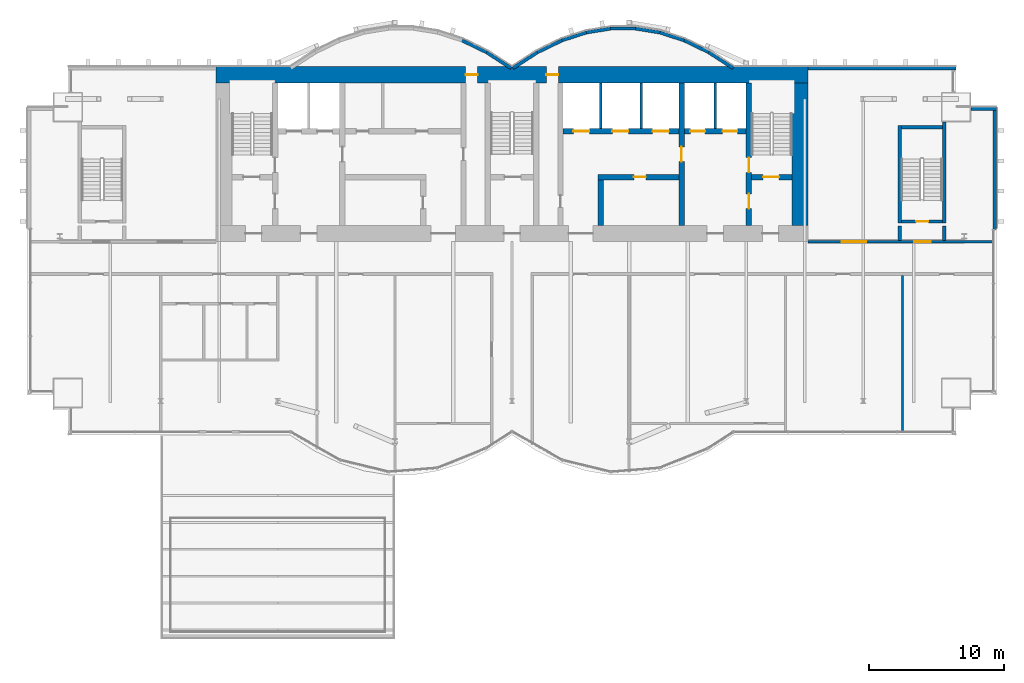
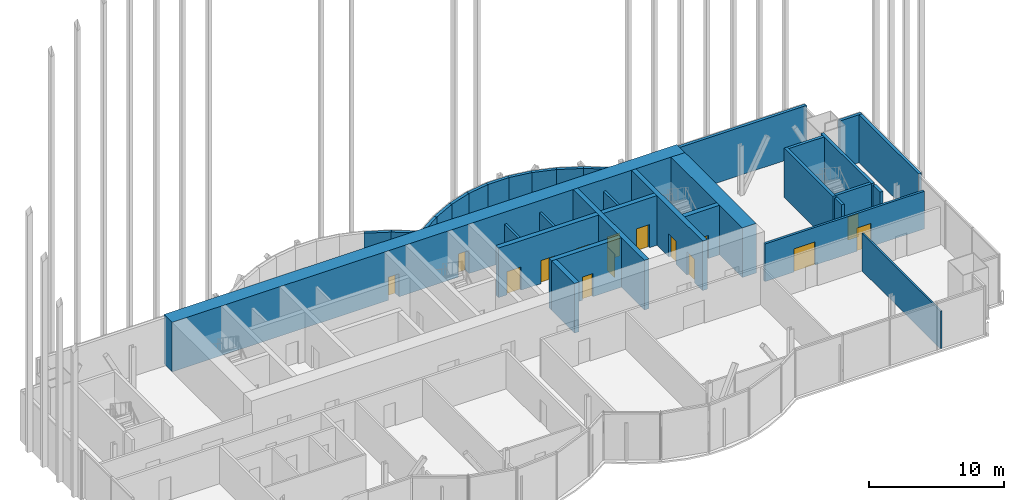
# One storey, part 18 of 22: 33 walls, 15 doors, 15 openings.
"""IFC4 building model written with IfcOpenShell, lengths in metres."""

from ifc_helpers import new_model, si_unit, direction, frame, frame_2d, origin, place, context, subcontext, project, spatial, rectangle, extrude, material, layer, layer_set, layer_usage, type_object, element, fill, save


model = new_model("IFC4")

# Units and contexts
model_context = context("Model", 3, precision=1e-05, world=origin(), true_north=direction((0.0, 1.0)))
body_context = subcontext(model_context, "Body", "Model", "MODEL_VIEW")
ifc_project = project(units=[si_unit("LENGTHUNIT", "METRE"), si_unit("AREAUNIT", "SQUARE_METRE"), si_unit("VOLUMEUNIT", "CUBIC_METRE"), si_unit("PLANEANGLEUNIT", "RADIAN"), si_unit("MASSUNIT", "GRAM", prefix="KILO")], contexts=[model_context])

# Site, building, storey
site_placement = place(None, origin())
site = spatial("IfcSite", under=ifc_project, at=site_placement, CompositionType="ELEMENT")
building_placement = place(site_placement, origin())
building = spatial("IfcBuilding", under=site, at=building_placement, Name="Bicima Exchange Tower", CompositionType="ELEMENT")
storey_placement = place(building_placement, frame((0.0, 0.0, 293.0)))
storey = spatial("IfcBuildingStorey", under=building, at=storey_placement, Name="L66", CompositionType="ELEMENT", Elevation=293.0)

# Walls
ifc_material_1 = material(Name="Gypsum board partition")
ifc_layer_1 = layer(ifc_material_1, 0.199951171875)
ifc_layer_set_1 = layer_set([ifc_layer_1], Name="Gypsum board partition")
wall_type_1 = type_object("IfcWallType", Name="Fire-rated gypsum partition 200 EI120", PredefinedType="PARTITIONING", material=ifc_layer_set_1)
for number, where, z_axis, x_axis, name in (
    (1, (6.60009765625, -4.60009765625, 0.0), (0.0, 0.0, 1.0), (0.0, 1.0, 0.0), "partition wall 18"),
    (2, (9.60009765625, -4.60009765625, 0.0), (0.0, 0.0, 1.0), (0.0, 1.0, 0.0), "partition wall 19"),
    (3, (15.10009765625, -4.60009765625, 0.0), (0.0, 0.0, 1.0), (0.0, 1.0, 0.0), "partition wall 21"),
):
    element("IfcWall", number, at=place(storey_placement, frame(where, z_axis=z_axis, x_axis=x_axis)), inside=storey, type_object=wall_type_1, Name=name, PredefinedType="PARTITIONING", context=body_context, shape_type="SweptSolid", body=[
        extrude(rectangle(XDim=3.400146484375, YDim=0.199951171875, at=frame_2d((1.7001953125, 0.0))), origin(), (0.0, 0.0, 1.0), 3.418212890625),
    ])

# Wall, openings, doors
ifc_layer_2 = layer(ifc_material_1, 0.199951171875)
ifc_layer_set_2 = layer_set([ifc_layer_2], Name="Gypsum board partition")
wall_type_2 = type_object("IfcWallType", Name="Fire-rated gypsum partition 200 EI60", PredefinedType="PARTITIONING", material=ifc_layer_set_2)
wall_1_placement = place(storey_placement, frame((22.0, -13.0, 0.0), z_axis=(0.0, 0.0, 1.0), x_axis=(1.0, 0.0, 0.0)))
wall_1 = element("IfcWall", 4, at=wall_1_placement, inside=storey, type_object=wall_type_2, Name="partition wall 9", PredefinedType="PARTITIONING", context=body_context, shape_type="SweptSolid", body=[
    extrude(rectangle(XDim=13.679931640625, YDim=0.199951171875, at=frame_2d((6.83984375, 0.0))), origin(), (0.0, 0.0, 1.0), 3.418212890625),
])
opening_1_placement = place(wall_1_placement, frame((7.89990234375, 0.0, 0.0)))
opening_1 = element("IfcOpeningElement", 5, at=opening_1_placement, cuts=wall_1, Name="Opening L66-003", PredefinedType="OPENING", context=body_context, shape_type="SweptSolid", body=[
    extrude(rectangle(XDim=1.199951171875, YDim=2.10009765625, at=frame_2d((0.60009765625, 1.050048828125))), frame((0.0, 0.11181640625, 0.0), z_axis=(0.0, -1.0, 0.0), x_axis=(1.0, 0.0, 0.0)), (0.0, 0.0, 1.0), 0.223876953125),
])
opening_2_placement = place(wall_1_placement, frame((2.5, 0.0, 0.0)))
opening_2 = element("IfcOpeningElement", 6, at=opening_2_placement, cuts=wall_1, Name="Opening L66-006", PredefinedType="OPENING", context=body_context, shape_type="SweptSolid", body=[
    extrude(rectangle(XDim=1.800048828125, YDim=2.10009765625, at=frame_2d((0.89990234375, 1.050048828125))), frame((0.0, 0.11181640625, 0.0), z_axis=(0.0, -1.0, 0.0), x_axis=(1.0, 0.0, 0.0)), (0.0, 0.0, 1.0), 0.223876953125),
])
ifc_material_2 = material(Name="Steel fire door leaf", Category="steel")
door_type_1 = type_object("IfcDoorType", Name="Door 1200 swing FD30S", OperationType="SINGLE_SWING_LEFT", PredefinedType="DOOR", material=ifc_material_2)
door_1_placement = place(opening_1_placement, origin())
door_1 = element("IfcDoor", 7, at=door_1_placement, inside=storey, type_object=door_type_1, Name="Door", OperationType="SINGLE_SWING_RIGHT", OverallHeight=2.10009765625, OverallWidth=1.199951171875, PredefinedType="DOOR", context=body_context, shape_type="SweptSolid", body=[
    extrude(rectangle(XDim=1.199951171875, YDim=2.10009765625, at=frame_2d((0.60009765625, 1.050048828125))), frame((0.0, 0.02490234375, 0.0), z_axis=(0.0, -1.0, 0.0), x_axis=(1.0, 0.0, 0.0)), (0.0, 0.0, 1.0), 0.050048828125),
])
fill(opening_1, door_1)
door_type_2 = type_object("IfcDoorType", Name="Door 1800 double swing FD30S", OperationType="DOUBLE_DOOR_SINGLE_SWING", PredefinedType="DOOR", material=ifc_material_2)
door_2_placement = place(opening_2_placement, origin())
door_2 = element("IfcDoor", 8, at=door_2_placement, inside=storey, type_object=door_type_2, Name="Door", OperationType="SINGLE_SWING_LEFT", OverallHeight=2.10009765625, OverallWidth=1.800048828125, PredefinedType="DOOR", context=body_context, shape_type="SweptSolid", body=[
    extrude(rectangle(XDim=1.800048828125, YDim=2.10009765625, at=frame_2d((0.89990234375, 1.050048828125))), frame((0.0, 0.02490234375, 0.0), z_axis=(0.0, -1.0, 0.0), x_axis=(1.0, 0.0, 0.0)), (0.0, 0.0, 1.0), 0.050048828125),
])
fill(opening_2, door_2)

# Wall
ifc_layer_3 = layer(ifc_material_1, 0.14990234375)
ifc_layer_set_3 = layer_set([ifc_layer_3], Name="Gypsum board partition")
wall_type_3 = type_object("IfcWallType", Name="Gypsum partition 150", PredefinedType="PARTITIONING", material=ifc_layer_set_3)
wall_2_placement = place(storey_placement, frame((29.0, -27.14990234375, 0.0), z_axis=(0.0, 0.0, 1.0), x_axis=(0.0, 1.0, 0.0)))
element("IfcWall", 9, at=wall_2_placement, inside=storey, type_object=wall_type_3, Name="partition wall 30", PredefinedType="PARTITIONING", context=body_context, shape_type="SweptSolid", body=[
    extrude(rectangle(XDim=11.64990234375, YDim=0.14990234375, at=frame_2d((5.824951171875, 0.0))), origin(), (0.0, 0.0, 1.0), 3.418212890625),
])

# Wall, openings, doors
ifc_material_3 = material(Name="Concrete C40/50", Category="concrete")
ifc_layer_4 = layer(ifc_material_3, 1.199951171875)
ifc_layer_set_4 = layer_set([ifc_layer_4], Name="Concrete C40/50")
wall_type_4 = type_object("IfcWallType", Name="RC core wall 1200 C40/50", PredefinedType="SHEAR", material=ifc_layer_set_4)
wall_3_placement = place(storey_placement, frame((-22.0, -0.60009765625, 0.0), z_axis=(0.0, 0.0, 1.0), x_axis=(1.0, 0.0, 0.0)))
wall_3 = element("IfcWall", 10, at=wall_3_placement, inside=storey, type_object=wall_type_4, Name="Core wall north", PredefinedType="SHEAR", context=body_context, shape_type="SweptSolid", body=[
    extrude(rectangle(XDim=44.0, YDim=1.199951171875, at=frame_2d((22.0, 0.0))), origin(), (0.0, 0.0, 1.0), 4.5),
])
opening_3_placement = place(wall_3_placement, frame((18.550048828125, 0.0, 0.0)))
opening_3 = element("IfcOpeningElement", 11, at=opening_3_placement, cuts=wall_3, Name="Opening L66-C16", PredefinedType="OPENING", context=body_context, shape_type="SweptSolid", body=[
    extrude(rectangle(XDim=0.89990234375, YDim=2.10009765625, at=frame_2d((0.449951171875, 1.050048828125))), frame((0.0, 0.61181640625, 0.0), z_axis=(0.0, -1.0, 0.0), x_axis=(1.0, 0.0, 0.0)), (0.0, 0.0, 1.0), 1.223876953125),
])
opening_4_placement = place(wall_3_placement, frame((24.550048828125, 0.0, 0.0)))
opening_4 = element("IfcOpeningElement", 12, at=opening_4_placement, cuts=wall_3, Name="Opening L66-C17", PredefinedType="OPENING", context=body_context, shape_type="SweptSolid", body=[
    extrude(rectangle(XDim=0.89990234375, YDim=2.10009765625, at=frame_2d((0.449951171875, 1.050048828125))), frame((0.0, 0.61181640625, 0.0), z_axis=(0.0, -1.0, 0.0), x_axis=(1.0, 0.0, 0.0)), (0.0, 0.0, 1.0), 1.223876953125),
])
door_type_3 = type_object("IfcDoorType", Name="Door 900 swing FD30S", OperationType="SINGLE_SWING_LEFT", PredefinedType="DOOR", material=ifc_material_2)
door_3_placement = place(opening_3_placement, origin())
door_3 = element("IfcDoor", 13, at=door_3_placement, inside=storey, type_object=door_type_3, Name="Core door", OperationType="SINGLE_SWING_LEFT", OverallHeight=2.10009765625, OverallWidth=0.89990234375, PredefinedType="DOOR", context=body_context, shape_type="SweptSolid", body=[
    extrude(rectangle(XDim=0.89990234375, YDim=2.10009765625, at=frame_2d((0.449951171875, 1.050048828125))), frame((0.0, 0.02490234375, 0.0), z_axis=(0.0, -1.0, 0.0), x_axis=(1.0, 0.0, 0.0)), (0.0, 0.0, 1.0), 0.050048828125),
])
fill(opening_3, door_3)
door_4_placement = place(opening_4_placement, origin())
door_4 = element("IfcDoor", 14, at=door_4_placement, inside=storey, type_object=door_type_3, Name="Core door", OperationType="SINGLE_SWING_LEFT", OverallHeight=2.10009765625, OverallWidth=0.89990234375, PredefinedType="DOOR", context=body_context, shape_type="SweptSolid", body=[
    extrude(rectangle(XDim=0.89990234375, YDim=2.10009765625, at=frame_2d((0.449951171875, 1.050048828125))), frame((0.0, 0.02490234375, 0.0), z_axis=(0.0, -1.0, 0.0), x_axis=(1.0, 0.0, 0.0)), (0.0, 0.0, 1.0), 0.050048828125),
])
fill(opening_4, door_4)

# Walls
wall_4_placement = place(storey_placement, frame((21.39990234375, -11.800048828125, 0.0), z_axis=(0.0, 0.0, 1.0), x_axis=(0.0, 1.0, 0.0)))
element("IfcWall", 15, at=wall_4_placement, inside=storey, type_object=wall_type_4, Name="Core wall east", PredefinedType="SHEAR", context=body_context, shape_type="SweptSolid", body=[
    extrude(rectangle(XDim=10.60009765625, YDim=1.199951171875, at=frame_2d((5.300048828125, 0.0))), origin(), (0.0, 0.0, 1.0), 4.5),
])
ifc_material_4 = material(Name="Concrete C50/60", Category="concrete")
ifc_layer_5 = layer(ifc_material_4, 0.25)
ifc_layer_set_5 = layer_set([ifc_layer_5], Name="Concrete C50/60")
wall_type_5 = type_object("IfcWallType", Name="RC core wall 250 C50/60", PredefinedType="SHEAR", material=ifc_layer_set_5)
for number, where, z_axis, x_axis, name in (
    (16, (28.800048828125, -12.89990234375, 0.0), (0.0, 0.0, 1.0), (0.0, 1.0, 0.0), "stair wall 29"),
    (17, (32.10009765625, -12.89990234375, 0.0), (0.0, 0.0, 1.0), (0.0, 1.0, 0.0), "stair wall 31"),
):
    element("IfcWall", number, at=place(storey_placement, frame(where, z_axis=z_axis, x_axis=x_axis)), inside=storey, type_object=wall_type_5, Name=name, PredefinedType="SHEAR", context=body_context, shape_type="SweptSolid", body=[
        extrude(rectangle(XDim=1.0498046875, YDim=0.25, at=frame_2d((0.52490234375, 0.0))), origin(), (0.0, 0.0, 1.0), 4.5),
    ])

# Wall, opening, door
ifc_layer_6 = layer(ifc_material_3, 0.39990234375)
ifc_layer_set_6 = layer_set([ifc_layer_6], Name="Concrete C40/50")
wall_type_6 = type_object("IfcWallType", Name="RC core wall 400 C40/50", PredefinedType="SHEAR", material=ifc_layer_set_6)
wall_5_placement = place(storey_placement, frame((6.39990234375, -8.199951171875, 0.0), z_axis=(0.0, 0.0, 1.0), x_axis=(1.0, 0.0, 0.0)))
wall_5 = element("IfcWall", 18, at=wall_5_placement, inside=storey, type_object=wall_type_6, Name="shear wall 4", PredefinedType="SHEAR", context=body_context, shape_type="SweptSolid", body=[
    extrude(rectangle(XDim=6.0, YDim=0.39990234375, at=frame_2d((3.0, 0.0))), origin(), (0.0, 0.0, 1.0), 4.5),
])
opening_5_placement = place(wall_5_placement, frame((2.64990234375, 0.0, 0.0)))
opening_5 = element("IfcOpeningElement", 19, at=opening_5_placement, cuts=wall_5, Name="Opening L66-C15", PredefinedType="OPENING", context=body_context, shape_type="SweptSolid", body=[
    extrude(rectangle(XDim=0.89990234375, YDim=2.10009765625, at=frame_2d((0.449951171875, 1.050048828125))), frame((0.0, 0.2119140625, 0.0), z_axis=(0.0, -1.0, 0.0), x_axis=(1.0, 0.0, 0.0)), (0.0, 0.0, 1.0), 0.423828125),
])
door_5_placement = place(opening_5_placement, frame((0.89990234375, 0.0, 0.0), z_axis=(0.0, 0.0, 1.0), x_axis=(-1.0, 0.0, 0.0)))
door_5 = element("IfcDoor", 20, at=door_5_placement, inside=storey, type_object=door_type_3, Name="Core door", OperationType="SINGLE_SWING_RIGHT", OverallHeight=2.10009765625, OverallWidth=0.89990234375, PredefinedType="DOOR", context=body_context, shape_type="SweptSolid", body=[
    extrude(rectangle(XDim=0.89990234375, YDim=2.10009765625, at=frame_2d((0.449951171875, 1.050048828125))), frame((0.0, 0.02490234375, 0.0), z_axis=(0.0, -1.0, 0.0), x_axis=(1.0, 0.0, 0.0)), (0.0, 0.0, 1.0), 0.050048828125),
])
fill(opening_5, door_5)

# Wall, openings, doors
wall_6_placement = place(storey_placement, frame((3.800048828125, -4.800048828125, 0.0), z_axis=(0.0, 0.0, 1.0), x_axis=(1.0, 0.0, 0.0)))
wall_6 = element("IfcWall", 21, at=wall_6_placement, inside=storey, type_object=wall_type_6, Name="shear wall 7", PredefinedType="SHEAR", context=body_context, shape_type="SweptSolid", body=[
    extrude(rectangle(XDim=13.599853515625, YDim=0.39990234375, at=frame_2d((6.7998046875, 0.0))), origin(), (0.0, 0.0, 1.0), 4.5),
])
opening_6_placement = place(wall_6_placement, frame((0.75, 0.0, 0.0)))
opening_6 = element("IfcOpeningElement", 22, at=opening_6_placement, cuts=wall_6, Name="Opening LD-HB1-L66", PredefinedType="OPENING", context=body_context, shape_type="SweptSolid", body=[
    extrude(rectangle(XDim=1.199951171875, YDim=2.10009765625, at=frame_2d((0.60009765625, 1.050048828125))), frame((0.0, 0.2119140625, 0.0), z_axis=(0.0, -1.0, 0.0), x_axis=(1.0, 0.0, 0.0)), (0.0, 0.0, 1.0), 0.423828125),
])
opening_7_placement = place(wall_6_placement, frame((3.64990234375, 0.0, 0.0)))
opening_7 = element("IfcOpeningElement", 23, at=opening_7_placement, cuts=wall_6, Name="Opening LD-HB2-L66", PredefinedType="OPENING", context=body_context, shape_type="SweptSolid", body=[
    extrude(rectangle(XDim=1.199951171875, YDim=2.10009765625, at=frame_2d((0.60009765625, 1.050048828125))), frame((0.0, 0.2119140625, 0.0), z_axis=(0.0, -1.0, 0.0), x_axis=(1.0, 0.0, 0.0)), (0.0, 0.0, 1.0), 0.423828125),
])
opening_8_placement = place(wall_6_placement, frame((6.64990234375, 0.0, 0.0)))
opening_8 = element("IfcOpeningElement", 24, at=opening_8_placement, cuts=wall_6, Name="Opening LD-HB3-L66", PredefinedType="OPENING", context=body_context, shape_type="SweptSolid", body=[
    extrude(rectangle(XDim=1.199951171875, YDim=2.10009765625, at=frame_2d((0.60009765625, 1.050048828125))), frame((0.0, 0.2119140625, 0.0), z_axis=(0.0, -1.0, 0.0), x_axis=(1.0, 0.0, 0.0)), (0.0, 0.0, 1.0), 0.423828125),
])
opening_9_placement = place(wall_6_placement, frame((9.449951171875, 0.0, 0.0)))
opening_9 = element("IfcOpeningElement", 25, at=opening_9_placement, cuts=wall_6, Name="Opening LD-FF2-L66", PredefinedType="OPENING", context=body_context, shape_type="SweptSolid", body=[
    extrude(rectangle(XDim=1.10009765625, YDim=2.10009765625, at=frame_2d((0.550048828125, 1.050048828125))), frame((0.0, 0.2119140625, 0.0), z_axis=(0.0, -1.0, 0.0), x_axis=(1.0, 0.0, 0.0)), (0.0, 0.0, 1.0), 0.423828125),
])
opening_10_placement = place(wall_6_placement, frame((11.85009765625, 0.0, 0.0)))
opening_10 = element("IfcOpeningElement", 26, at=opening_10_placement, cuts=wall_6, Name="Opening LD-SV1-L66", PredefinedType="OPENING", context=body_context, shape_type="SweptSolid", body=[
    extrude(rectangle(XDim=1.10009765625, YDim=2.10009765625, at=frame_2d((0.550048828125, 1.050048828125))), frame((0.0, 0.2119140625, 0.0), z_axis=(0.0, -1.0, 0.0), x_axis=(1.0, 0.0, 0.0)), (0.0, 0.0, 1.0), 0.423828125),
])
ifc_material_5 = material(Name="Stainless steel", Category="steel")
door_type_4 = type_object("IfcDoorType", Name="Lift landing door 1100 sliding", OperationType="DOUBLE_DOOR_SLIDING", PredefinedType="DOOR", material=ifc_material_5)
door_6_placement = place(opening_9_placement, origin())
door_6 = element("IfcDoor", 27, at=door_6_placement, inside=storey, type_object=door_type_4, Name="Lift landing door FF2", OperationType="DOUBLE_DOOR_SLIDING", OverallHeight=2.10009765625, OverallWidth=1.10009765625, PredefinedType="DOOR", context=body_context, shape_type="SweptSolid", body=[
    extrude(rectangle(XDim=1.10009765625, YDim=2.10009765625, at=frame_2d((0.550048828125, 1.050048828125))), frame((0.0, 0.02490234375, 0.0), z_axis=(0.0, -1.0, 0.0), x_axis=(1.0, 0.0, 0.0)), (0.0, 0.0, 1.0), 0.050048828125),
])
fill(opening_9, door_6)
door_7_placement = place(opening_10_placement, origin())
door_7 = element("IfcDoor", 28, at=door_7_placement, inside=storey, type_object=door_type_4, Name="Lift landing door SV1", OperationType="DOUBLE_DOOR_SLIDING", OverallHeight=2.10009765625, OverallWidth=1.10009765625, PredefinedType="DOOR", context=body_context, shape_type="SweptSolid", body=[
    extrude(rectangle(XDim=1.10009765625, YDim=2.10009765625, at=frame_2d((0.550048828125, 1.050048828125))), frame((0.0, 0.02490234375, 0.0), z_axis=(0.0, -1.0, 0.0), x_axis=(1.0, 0.0, 0.0)), (0.0, 0.0, 1.0), 0.050048828125),
])
fill(opening_10, door_7)
door_type_5 = type_object("IfcDoorType", Name="Lift landing door 1200 sliding", OperationType="DOUBLE_DOOR_SLIDING", PredefinedType="DOOR", material=ifc_material_5)
door_8_placement = place(opening_6_placement, origin())
door_8 = element("IfcDoor", 29, at=door_8_placement, inside=storey, type_object=door_type_5, Name="Lift landing door HB1", OperationType="DOUBLE_DOOR_SLIDING", OverallHeight=2.10009765625, OverallWidth=1.199951171875, PredefinedType="DOOR", context=body_context, shape_type="SweptSolid", body=[
    extrude(rectangle(XDim=1.199951171875, YDim=2.10009765625, at=frame_2d((0.60009765625, 1.050048828125))), frame((0.0, 0.02490234375, 0.0), z_axis=(0.0, -1.0, 0.0), x_axis=(1.0, 0.0, 0.0)), (0.0, 0.0, 1.0), 0.050048828125),
])
fill(opening_6, door_8)
door_9_placement = place(opening_7_placement, origin())
door_9 = element("IfcDoor", 30, at=door_9_placement, inside=storey, type_object=door_type_5, Name="Lift landing door HB2", OperationType="DOUBLE_DOOR_SLIDING", OverallHeight=2.10009765625, OverallWidth=1.199951171875, PredefinedType="DOOR", context=body_context, shape_type="SweptSolid", body=[
    extrude(rectangle(XDim=1.199951171875, YDim=2.10009765625, at=frame_2d((0.60009765625, 1.050048828125))), frame((0.0, 0.02490234375, 0.0), z_axis=(0.0, -1.0, 0.0), x_axis=(1.0, 0.0, 0.0)), (0.0, 0.0, 1.0), 0.050048828125),
])
fill(opening_7, door_9)
door_10_placement = place(opening_8_placement, origin())
door_10 = element("IfcDoor", 31, at=door_10_placement, inside=storey, type_object=door_type_5, Name="Lift landing door HB3", OperationType="DOUBLE_DOOR_SLIDING", OverallHeight=2.10009765625, OverallWidth=1.199951171875, PredefinedType="DOOR", context=body_context, shape_type="SweptSolid", body=[
    extrude(rectangle(XDim=1.199951171875, YDim=2.10009765625, at=frame_2d((0.60009765625, 1.050048828125))), frame((0.0, 0.02490234375, 0.0), z_axis=(0.0, -1.0, 0.0), x_axis=(1.0, 0.0, 0.0)), (0.0, 0.0, 1.0), 0.050048828125),
])
fill(opening_8, door_10)

# Wall
wall_7_placement = place(storey_placement, frame((6.60009765625, -11.800048828125, 0.0), z_axis=(0.0, 0.0, 1.0), x_axis=(0.0, 1.0, 0.0)))
element("IfcWall", 32, at=wall_7_placement, inside=storey, type_object=wall_type_6, Name="shear wall 17", PredefinedType="SHEAR", context=body_context, shape_type="SweptSolid", body=[
    extrude(rectangle(XDim=3.400146484375, YDim=0.39990234375, at=frame_2d((1.7001953125, 0.0))), origin(), (0.0, 0.0, 1.0), 4.5),
])

# Wall, opening, door
wall_8_placement = place(storey_placement, frame((12.60009765625, -11.800048828125, 0.0), z_axis=(0.0, 0.0, 1.0), x_axis=(0.0, 1.0, 0.0)))
wall_8 = element("IfcWall", 33, at=wall_8_placement, inside=storey, type_object=wall_type_6, Name="shear wall 20", PredefinedType="SHEAR", context=body_context, shape_type="SweptSolid", body=[
    extrude(rectangle(XDim=10.60009765625, YDim=0.39990234375, at=frame_2d((5.300048828125, 0.0))), origin(), (0.0, 0.0, 1.0), 4.5),
])
opening_11_placement = place(wall_8_placement, frame((4.75, 0.0, 0.0)))
opening_11 = element("IfcOpeningElement", 34, at=opening_11_placement, cuts=wall_8, Name="Opening L66-C09", PredefinedType="OPENING", context=body_context, shape_type="SweptSolid", body=[
    extrude(rectangle(XDim=1.10009765625, YDim=2.10009765625, at=frame_2d((0.550048828125, 1.050048828125))), frame((0.0, 0.2119140625, 0.0), z_axis=(0.0, -1.0, 0.0), x_axis=(1.0, 0.0, 0.0)), (0.0, 0.0, 1.0), 0.423828125),
])
door_type_6 = type_object("IfcDoorType", Name="Door 1100 swing FD60S", OperationType="SINGLE_SWING_LEFT", PredefinedType="DOOR", material=ifc_material_2)
door_11_placement = place(opening_11_placement, frame((1.10009765625, 0.0, 0.0), z_axis=(0.0, 0.0, 1.0), x_axis=(-1.0, 0.0, 0.0)))
door_11 = element("IfcDoor", 35, at=door_11_placement, inside=storey, type_object=door_type_6, Name="Core door", OperationType="SINGLE_SWING_RIGHT", OverallHeight=2.10009765625, OverallWidth=1.10009765625, PredefinedType="DOOR", context=body_context, shape_type="SweptSolid", body=[
    extrude(rectangle(XDim=1.10009765625, YDim=2.10009765625, at=frame_2d((0.550048828125, 1.050048828125))), frame((0.0, 0.02490234375, 0.0), z_axis=(0.0, -1.0, 0.0), x_axis=(1.0, 0.0, 0.0)), (0.0, 0.0, 1.0), 0.050048828125),
])
fill(opening_11, door_11)

ifc_layer_7 = layer(ifc_material_4, 0.39990234375)
ifc_layer_set_7 = layer_set([ifc_layer_7], Name="Concrete C50/60")
wall_type_7 = type_object("IfcWallType", Name="RC core wall 400 C50/60", PredefinedType="SHEAR", material=ifc_layer_set_7)
wall_9_placement = place(storey_placement, frame((17.800048828125, -8.199951171875, 0.0), z_axis=(0.0, 0.0, 1.0), x_axis=(1.0, 0.0, 0.0)))
wall_9 = element("IfcWall", 36, at=wall_9_placement, inside=storey, type_object=wall_type_7, Name="stair wall 5", PredefinedType="SHEAR", context=body_context, shape_type="SweptSolid", body=[
    extrude(rectangle(XDim=3.0, YDim=0.39990234375, at=frame_2d((1.5, 0.0))), origin(), (0.0, 0.0, 1.0), 4.5),
])
opening_12_placement = place(wall_9_placement, frame((0.85009765625, 0.0, 0.0)))
opening_12 = element("IfcOpeningElement", 37, at=opening_12_placement, cuts=wall_9, Name="Opening L66-C04", PredefinedType="OPENING", context=body_context, shape_type="SweptSolid", body=[
    extrude(rectangle(XDim=1.199951171875, YDim=2.10009765625, at=frame_2d((0.60009765625, 1.050048828125))), frame((0.0, 0.2119140625, 0.0), z_axis=(0.0, -1.0, 0.0), x_axis=(1.0, 0.0, 0.0)), (0.0, 0.0, 1.0), 0.423828125),
])
door_type_7 = type_object("IfcDoorType", Name="Door 1200 swing FD60S", OperationType="SINGLE_SWING_LEFT", PredefinedType="DOOR", material=ifc_material_2)
door_12_placement = place(opening_12_placement, origin())
door_12 = element("IfcDoor", 38, at=door_12_placement, inside=storey, type_object=door_type_7, Name="Core door", OperationType="SINGLE_SWING_RIGHT", OverallHeight=2.10009765625, OverallWidth=1.199951171875, PredefinedType="DOOR", context=body_context, shape_type="SweptSolid", body=[
    extrude(rectangle(XDim=1.199951171875, YDim=2.10009765625, at=frame_2d((0.60009765625, 1.050048828125))), frame((0.0, 0.02490234375, 0.0), z_axis=(0.0, -1.0, 0.0), x_axis=(1.0, 0.0, 0.0)), (0.0, 0.0, 1.0), 0.050048828125),
])
fill(opening_12, door_12)

# Wall, openings, doors
wall_10_placement = place(storey_placement, frame((17.60009765625, -11.800048828125, 0.0), z_axis=(0.0, 0.0, 1.0), x_axis=(0.0, 1.0, 0.0)))
wall_10 = element("IfcWall", 39, at=wall_10_placement, inside=storey, type_object=wall_type_7, Name="stair wall 22", PredefinedType="SHEAR", context=body_context, shape_type="SweptSolid", body=[
    extrude(rectangle(XDim=10.60009765625, YDim=0.39990234375, at=frame_2d((5.300048828125, 0.0))), origin(), (0.0, 0.0, 1.0), 4.5),
])
opening_13_placement = place(wall_10_placement, frame((1.25, 0.0, 0.0)))
opening_13 = element("IfcOpeningElement", 40, at=opening_13_placement, cuts=wall_10, Name="Opening L66-C05", PredefinedType="OPENING", context=body_context, shape_type="SweptSolid", body=[
    extrude(rectangle(XDim=1.10009765625, YDim=2.10009765625, at=frame_2d((0.550048828125, 1.050048828125))), frame((0.0, 0.2119140625, 0.0), z_axis=(0.0, -1.0, 0.0), x_axis=(1.0, 0.0, 0.0)), (0.0, 0.0, 1.0), 0.423828125),
])
opening_14_placement = place(wall_10_placement, frame((3.949951171875, 0.0, 0.0)))
opening_14 = element("IfcOpeningElement", 41, at=opening_14_placement, cuts=wall_10, Name="Opening L66-C08", PredefinedType="OPENING", context=body_context, shape_type="SweptSolid", body=[
    extrude(rectangle(XDim=1.10009765625, YDim=2.10009765625, at=frame_2d((0.550048828125, 1.050048828125))), frame((0.0, 0.2119140625, 0.0), z_axis=(0.0, -1.0, 0.0), x_axis=(1.0, 0.0, 0.0)), (0.0, 0.0, 1.0), 0.423828125),
])
door_13_placement = place(opening_13_placement, origin())
door_13 = element("IfcDoor", 42, at=door_13_placement, inside=storey, type_object=door_type_6, Name="Core door", OperationType="SINGLE_SWING_LEFT", OverallHeight=2.10009765625, OverallWidth=1.10009765625, PredefinedType="DOOR", context=body_context, shape_type="SweptSolid", body=[
    extrude(rectangle(XDim=1.10009765625, YDim=2.10009765625, at=frame_2d((0.550048828125, 1.050048828125))), frame((0.0, 0.02490234375, 0.0), z_axis=(0.0, -1.0, 0.0), x_axis=(1.0, 0.0, 0.0)), (0.0, 0.0, 1.0), 0.050048828125),
])
fill(opening_13, door_13)
door_14_placement = place(opening_14_placement, origin())
door_14 = element("IfcDoor", 43, at=door_14_placement, inside=storey, type_object=door_type_6, Name="Core door", OperationType="SINGLE_SWING_RIGHT", OverallHeight=2.10009765625, OverallWidth=1.10009765625, PredefinedType="DOOR", context=body_context, shape_type="SweptSolid", body=[
    extrude(rectangle(XDim=1.10009765625, YDim=2.10009765625, at=frame_2d((0.550048828125, 1.050048828125))), frame((0.0, 0.02490234375, 0.0), z_axis=(0.0, -1.0, 0.0), x_axis=(1.0, 0.0, 0.0)), (0.0, 0.0, 1.0), 0.050048828125),
])
fill(opening_14, door_14)

# Walls
ifc_layer_8 = layer(ifc_material_4, 0.25)
ifc_layer_set_8 = layer_set([ifc_layer_8], Name="Concrete C50/60")
wall_type_8 = type_object("IfcWallType", Name="RC stair enclosure wall 250 C50/60", PredefinedType="SHEAR", material=ifc_layer_set_8)
wall_11_placement = place(storey_placement, frame((28.800048828125, -11.625, 0.0), z_axis=(0.0, 0.0, 1.0), x_axis=(0.0, 1.0, 0.0)))
element("IfcWall", 44, at=wall_11_placement, inside=storey, type_object=wall_type_8, Name="East end exit stair wall W", PredefinedType="SHEAR", context=body_context, shape_type="SweptSolid", body=[
    extrude(rectangle(XDim=7.25, YDim=0.25, at=frame_2d((3.625, 0.0))), origin(), (0.0, 0.0, 1.0), 4.5),
])
wall_12_placement = place(storey_placement, frame((32.10009765625, -11.625, 0.0), z_axis=(0.0, 0.0, 1.0), x_axis=(0.0, 1.0, 0.0)))
element("IfcWall", 45, at=wall_12_placement, inside=storey, type_object=wall_type_8, Name="East end exit stair wall E", PredefinedType="SHEAR", context=body_context, shape_type="SweptSolid", body=[
    extrude(rectangle(XDim=7.52490234375, YDim=0.25, at=frame_2d((3.762451171875, 0.0))), origin(), (0.0, 0.0, 1.0), 4.5),
])

# Wall, opening, door
wall_13_placement = place(storey_placement, frame((28.925048828125, -11.5, 0.0), z_axis=(0.0, 0.0, 1.0), x_axis=(1.0, 0.0, 0.0)))
wall_13 = element("IfcWall", 46, at=wall_13_placement, inside=storey, type_object=wall_type_8, Name="East end exit stair wall S", PredefinedType="SHEAR", context=body_context, shape_type="SweptSolid", body=[
    extrude(rectangle(XDim=3.050048828125, YDim=0.25, at=frame_2d((1.52490234375, 0.0))), origin(), (0.0, 0.0, 1.0), 4.5),
])
opening_15_placement = place(wall_13_placement, frame((1.10009765625, 0.0, 0.0)))
opening_15 = element("IfcOpeningElement", 47, at=opening_15_placement, cuts=wall_13, Name="Opening L66-004", PredefinedType="OPENING", context=body_context, shape_type="SweptSolid", body=[
    extrude(rectangle(XDim=0.89990234375, YDim=2.10009765625, at=frame_2d((0.449951171875, 1.050048828125))), frame((0.0, 0.136962890625, 0.0), z_axis=(0.0, -1.0, 0.0), x_axis=(1.0, 0.0, 0.0)), (0.0, 0.0, 1.0), 0.27392578125),
])
door_type_8 = type_object("IfcDoorType", Name="Door 900 swing FD60S", OperationType="SINGLE_SWING_LEFT", PredefinedType="DOOR", material=ifc_material_2)
door_15_placement = place(opening_15_placement, origin())
door_15 = element("IfcDoor", 48, at=door_15_placement, inside=storey, type_object=door_type_8, Name="Door", OperationType="SINGLE_SWING_LEFT", OverallHeight=2.10009765625, OverallWidth=0.89990234375, PredefinedType="DOOR", context=body_context, shape_type="SweptSolid", body=[
    extrude(rectangle(XDim=0.89990234375, YDim=2.10009765625, at=frame_2d((0.449951171875, 1.050048828125))), frame((0.0, 0.02490234375, 0.0), z_axis=(0.0, -1.0, 0.0), x_axis=(1.0, 0.0, 0.0)), (0.0, 0.0, 1.0), 0.050048828125),
])
fill(opening_15, door_15)

# Walls
wall_14_placement = place(storey_placement, frame((28.925048828125, -4.5, 0.0), z_axis=(0.0, 0.0, 1.0), x_axis=(1.0, 0.0, 0.0)))
element("IfcWall", 49, at=wall_14_placement, inside=storey, type_object=wall_type_8, Name="East end exit stair wall N", PredefinedType="SHEAR", context=body_context, shape_type="SweptSolid", body=[
    extrude(rectangle(XDim=3.050048828125, YDim=0.25, at=frame_2d((1.52490234375, 0.0))), origin(), (0.0, 0.0, 1.0), 4.5),
])
ifc_layer_9 = layer(ifc_material_3, 0.25)
ifc_layer_set_9 = layer_set([ifc_layer_9], Name="Concrete C40/50")
ifc_layer_usage = layer_usage(ifc_layer_set_9, "AXIS2", "POSITIVE", -0.125)
wall_type_9 = type_object("IfcWallType", Name="Rear backup wall 250", PredefinedType="STANDARD", material=ifc_layer_set_9)
wall_15_placement = place(storey_placement, frame((33.0, -0.125, 0.0), z_axis=(0.0, 0.0, 1.0), x_axis=(-1.0, 0.0, 0.0)))
element("IfcWall", 50, at=wall_15_placement, inside=storey, type_object=wall_type_9, material=ifc_layer_usage, Name="Rear backup wall L66 1", PredefinedType="STANDARD", context=body_context, shape_type="SweptSolid", body=[
    extrude(rectangle(XDim=11.0, YDim=0.25, at=frame_2d((5.5, 0.0))), origin(), (0.0, 0.0, 1.0), 4.35009765625),
])
wall_16_placement = place(storey_placement, frame((16.43212890625, -0.10498046875, 0.0), z_axis=(0.0, 0.0, 1.0), x_axis=(-0.83981312244, 0.542875602121, 0.0)))
element("IfcWall", 51, at=wall_16_placement, inside=storey, type_object=wall_type_9, material=ifc_layer_usage, Name="Rear backup wall L66 2", PredefinedType="STANDARD", context=body_context, shape_type="SweptSolid", body=[
    extrude(rectangle(XDim=2.182861328125, YDim=0.25, at=frame_2d((1.09130859375, 0.0))), origin(), (0.0, 0.0, 1.0), 4.35009765625),
])
wall_17_placement = place(storey_placement, frame((14.6123046875, 1.07275390625, 0.0), z_axis=(0.0, 0.0, 1.0), x_axis=(-0.89982408427, 0.436252928206, 0.0)))
element("IfcWall", 52, at=wall_17_placement, inside=storey, type_object=wall_type_9, material=ifc_layer_usage, Name="Rear backup wall L66 3", PredefinedType="STANDARD", context=body_context, shape_type="SweptSolid", body=[
    extrude(rectangle(XDim=2.03759765625, YDim=0.25, at=frame_2d((1.018798828125, 0.0))), origin(), (0.0, 0.0, 1.0), 4.35009765625),
])
wall_18_placement = place(storey_placement, frame((12.794921875, 1.955078125, 0.0), z_axis=(0.0, 0.0, 1.0), x_axis=(-0.951495806175, 0.307661714928, 0.0)))
element("IfcWall", 53, at=wall_18_placement, inside=storey, type_object=wall_type_9, material=ifc_layer_usage, Name="Rear backup wall L66 4", PredefinedType="STANDARD", context=body_context, shape_type="SweptSolid", body=[
    extrude(rectangle(XDim=1.9267578125, YDim=0.25, at=frame_2d((0.96337890625, 0.0))), origin(), (0.0, 0.0, 1.0), 4.35009765625),
])
wall_19_placement = place(storey_placement, frame((10.97998046875, 2.543212890625, 0.0), z_axis=(0.0, 0.0, 1.0), x_axis=(-0.987181718931, 0.159600293885, 0.0)))
element("IfcWall", 54, at=wall_19_placement, inside=storey, type_object=wall_type_9, material=ifc_layer_usage, Name="Rear backup wall L66 5", PredefinedType="STANDARD", context=body_context, shape_type="SweptSolid", body=[
    extrude(rectangle(XDim=1.857177734375, YDim=0.25, at=frame_2d((0.9287109375, 0.0))), origin(), (0.0, 0.0, 1.0), 4.35009765625),
])
wall_20_placement = place(storey_placement, frame((9.166748046875, 2.837890625, 0.0), z_axis=(0.0, 0.0, 1.0), x_axis=(-1.0, 0.0, 0.0)))
element("IfcWall", 55, at=wall_20_placement, inside=storey, type_object=wall_type_9, material=ifc_layer_usage, Name="Rear backup wall L66 6", PredefinedType="STANDARD", context=body_context, shape_type="SweptSolid", body=[
    extrude(rectangle(XDim=1.83349609375, YDim=0.25, at=frame_2d((0.916748046875, 0.0))), origin(), (0.0, 0.0, 1.0), 4.35009765625),
])
wall_21_placement = place(storey_placement, frame((7.353271484375, 2.839599609375, 0.0), z_axis=(0.0, 0.0, 1.0), x_axis=(-0.987181718931, -0.159600293885, 0.0)))
element("IfcWall", 56, at=wall_21_placement, inside=storey, type_object=wall_type_9, material=ifc_layer_usage, Name="Rear backup wall L66 7", PredefinedType="STANDARD", context=body_context, shape_type="SweptSolid", body=[
    extrude(rectangle(XDim=1.857177734375, YDim=0.25, at=frame_2d((0.9287109375, 0.0))), origin(), (0.0, 0.0, 1.0), 4.35009765625),
])
wall_22_placement = place(storey_placement, frame((5.538330078125, 2.5478515625, 0.0), z_axis=(0.0, 0.0, 1.0), x_axis=(-0.951495806175, -0.307661714928, 0.0)))
element("IfcWall", 57, at=wall_22_placement, inside=storey, type_object=wall_type_9, material=ifc_layer_usage, Name="Rear backup wall L66 8", PredefinedType="STANDARD", context=body_context, shape_type="SweptSolid", body=[
    extrude(rectangle(XDim=1.9267578125, YDim=0.25, at=frame_2d((0.96337890625, 0.0))), origin(), (0.0, 0.0, 1.0), 4.35009765625),
])
wall_23_placement = place(storey_placement, frame((3.72119140625, 1.961669921875, 0.0), z_axis=(0.0, 0.0, 1.0), x_axis=(-0.89982408427, -0.436252928206, 0.0)))
element("IfcWall", 58, at=wall_23_placement, inside=storey, type_object=wall_type_9, material=ifc_layer_usage, Name="Rear backup wall L66 9", PredefinedType="STANDARD", context=body_context, shape_type="SweptSolid", body=[
    extrude(rectangle(XDim=2.03759765625, YDim=0.25, at=frame_2d((1.018798828125, 0.0))), origin(), (0.0, 0.0, 1.0), 4.35009765625),
])
for number, where, z_axis, x_axis, name in (
    (59, (1.901123046875, 1.080078125, 0.0), (0.0, 0.0, 1.0), (-0.83981312244, -0.542875602121, 0.0), "Rear backup wall L66 10"),
    (60, (-0.06787109375, -0.10498046875, 0.0), (0.0, 0.0, 1.0), (-0.83981312244, 0.542875602121, 0.0), "Rear backup wall L66 11"),
):
    element("IfcWall", number, at=place(storey_placement, frame(where, z_axis=z_axis, x_axis=x_axis)), inside=storey, type_object=wall_type_9, material=ifc_layer_usage, Name=name, PredefinedType="STANDARD", context=body_context, shape_type="SweptSolid", body=[
        extrude(rectangle(XDim=2.182861328125, YDim=0.25, at=frame_2d((1.09130859375, 0.0))), origin(), (0.0, 0.0, 1.0), 4.35009765625),
    ])
wall_24_placement = place(storey_placement, frame((-1.8876953125, 1.07275390625, 0.0), z_axis=(0.0, 0.0, 1.0), x_axis=(-0.89982408427, 0.436252928206, 0.0)))
element("IfcWall", 61, at=wall_24_placement, inside=storey, type_object=wall_type_9, material=ifc_layer_usage, Name="Rear backup wall L66 12", PredefinedType="STANDARD", context=body_context, shape_type="SweptSolid", body=[
    extrude(rectangle(XDim=2.03759765625, YDim=0.25, at=frame_2d((1.018798828125, 0.0))), origin(), (0.0, 0.0, 1.0), 4.35009765625),
])
wall_25_placement = place(storey_placement, frame((35.875, -12.090087890625, 0.0), z_axis=(0.0, 0.0, 1.0), x_axis=(0.0, 1.0, 0.0)))
element("IfcWall", 62, at=wall_25_placement, inside=storey, type_object=wall_type_9, material=ifc_layer_usage, Name="Rear backup wall L66 50", PredefinedType="STANDARD", context=body_context, shape_type="SweptSolid", body=[
    extrude(rectangle(XDim=9.090087890625, YDim=0.25, at=frame_2d((4.544921875, 0.0))), origin(), (0.0, 0.0, 1.0), 4.35009765625),
])
wall_26_placement = place(storey_placement, frame((36.0, -3.125, 0.0), z_axis=(0.0, 0.0, 1.0), x_axis=(-1.0, 0.0, 0.0)))
element("IfcWall", 63, at=wall_26_placement, inside=storey, type_object=wall_type_9, material=ifc_layer_usage, Name="Rear backup wall L66 51", PredefinedType="STANDARD", context=body_context, shape_type="SweptSolid", body=[
    extrude(rectangle(XDim=1.89990234375, YDim=0.25, at=frame_2d((0.949951171875, 0.0))), origin(), (0.0, 0.0, 1.0), 4.35009765625),
])

save(model, "model.ifc")
